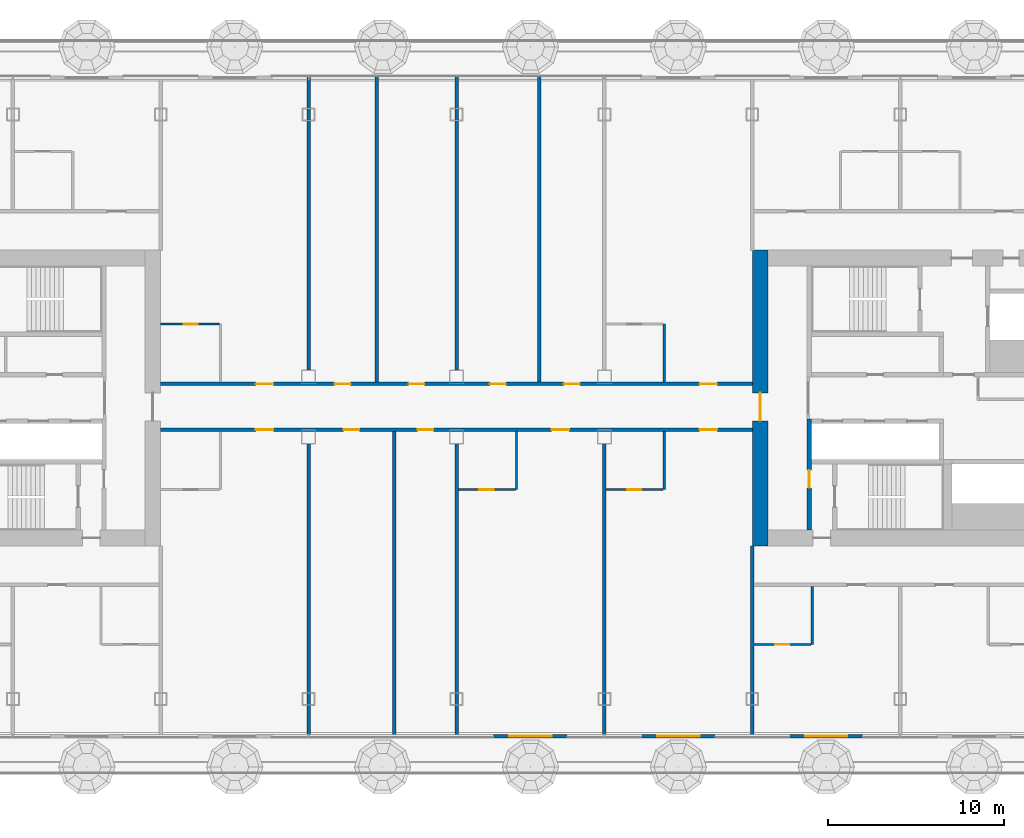
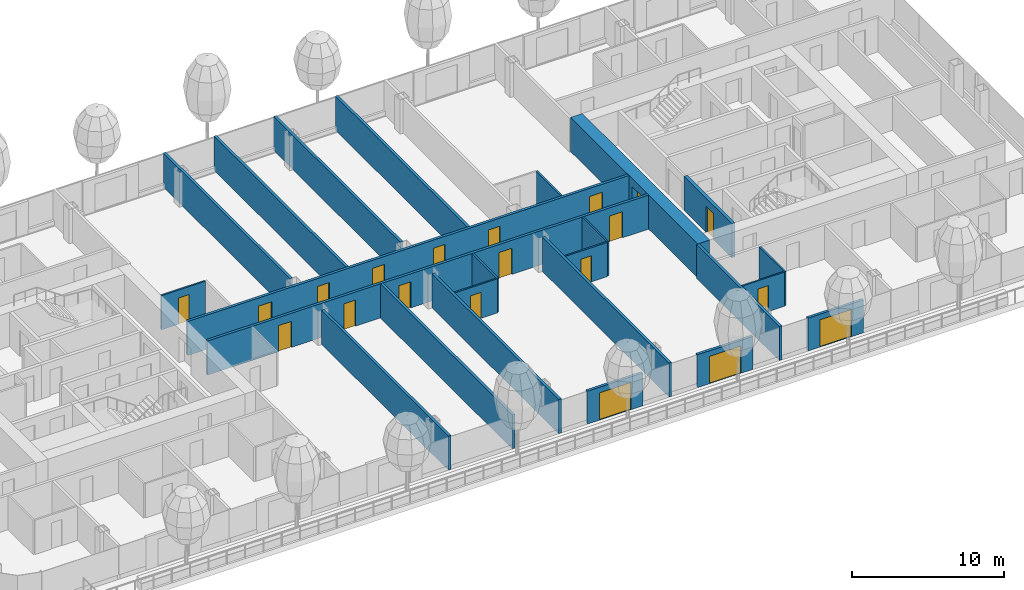
# One storey, part 12 of 29: 24 walls, 20 doors, 20 openings, 1 element without a shape of its own.
"""IFC4 building model written with IfcOpenShell, lengths in metres."""

from ifc_helpers import new_model, si_unit, direction, frame, frame_2d, origin, place, context, subcontext, project, spatial, rectangle, extrude, material, layer, layer_set, type_object, element, fill, aggregate, save


model = new_model("IFC4")

# Units and contexts
model_context = context("Model", 3, precision=1e-05, world=origin(), true_north=direction((0.0, 1.0)))
body_context = subcontext(model_context, "Body", "Model", "MODEL_VIEW")
ifc_project = project(units=[si_unit("LENGTHUNIT", "METRE"), si_unit("AREAUNIT", "SQUARE_METRE"), si_unit("VOLUMEUNIT", "CUBIC_METRE"), si_unit("PLANEANGLEUNIT", "RADIAN"), si_unit("MASSUNIT", "GRAM", prefix="KILO")], contexts=[model_context])

# Site, building, storey
site_placement = place(None, origin())
site = spatial("IfcSite", under=ifc_project, at=site_placement, CompositionType="ELEMENT")
building_placement = place(site_placement, origin())
building = spatial("IfcBuilding", under=site, at=building_placement, Name="Hakoniwa Tower and Hamabe Station Hall", CompositionType="ELEMENT")
storey_placement = place(building_placement, frame((0.0, 0.0, 163.0)))
storey = spatial("IfcBuildingStorey", under=building, at=storey_placement, Name="L46", CompositionType="ELEMENT", Elevation=163.0)

# Wall, opening, door
ifc_material_1 = material(Name="Gypsum board partition", Category="gypsum")
ifc_layer_1 = layer(ifc_material_1, 0.125)
ifc_layer_set_1 = layer_set([ifc_layer_1], Name="Bathroom Partition 125")
wall_type_1 = type_object("IfcWallType", Name="Bathroom Partition 125", PredefinedType="PARTITIONING", material=ifc_layer_set_1)
wall_1_placement = place(storey_placement, frame((16.89990234375, -14.0, 0.0), z_axis=(0.0, 0.0, 1.0), x_axis=(1.0, 0.0, 0.0)))
wall_1 = element("IfcWall", 1, at=wall_1_placement, inside=storey, type_object=wall_type_1, Name="GW-L46-004", PredefinedType="PARTITIONING", context=body_context, shape_type="SweptSolid", body=[
    extrude(rectangle(XDim=3.237548828125, YDim=0.125, at=frame_2d((1.61865234375, 0.0))), origin(), (0.0, 0.0, 1.0), 2.75),
])
opening_1_placement = place(wall_1_placement, frame((1.199951171875, 0.0, 0.0)))
opening_1 = element("IfcOpeningElement", 2, at=opening_1_placement, cuts=wall_1, Name="Opening GD-G3A2-04", PredefinedType="OPENING", context=body_context, shape_type="SweptSolid", body=[
    extrude(rectangle(XDim=0.800048828125, YDim=2.10009765625, at=frame_2d((0.39990234375, 1.050048828125))), frame((0.0, 0.072509765625, 0.0), z_axis=(0.0, -1.0, 0.0), x_axis=(1.0, 0.0, 0.0)), (0.0, 0.0, 1.0), 0.14501953125),
])
ifc_material_2 = material(Name="Timber door leaf", Category="wood")
door_type_1 = type_object("IfcDoorType", Name="Bathroom Door 800", OperationType="SINGLE_SWING_LEFT", PredefinedType="DOOR", material=ifc_material_2)
door_1_placement = place(opening_1_placement, origin())
door_1 = element("IfcDoor", 3, at=door_1_placement, inside=storey, type_object=door_type_1, Name="Door GD-G3A2-04", OperationType="SINGLE_SWING_RIGHT", OverallHeight=2.10009765625, OverallWidth=0.800048828125, PredefinedType="DOOR", context=body_context, shape_type="SweptSolid", body=[
    extrude(rectangle(XDim=0.800048828125, YDim=2.10009765625, at=frame_2d((0.39990234375, 1.050048828125))), frame((0.0, 0.02490234375, 0.0), z_axis=(0.0, -1.0, 0.0), x_axis=(1.0, 0.0, 0.0)), (0.0, 0.0, 1.0), 0.050048828125),
])
fill(opening_1, door_1)

wall_2_placement = place(storey_placement, frame((0.10009765625, -5.199951171875, 0.0), z_axis=(0.0, 0.0, 1.0), x_axis=(1.0, 0.0, 0.0)))
wall_2 = element("IfcWall", 4, at=wall_2_placement, inside=storey, type_object=wall_type_1, Name="GW-L46-011", PredefinedType="PARTITIONING", context=body_context, shape_type="SweptSolid", body=[
    extrude(rectangle(XDim=3.2373046875, YDim=0.125, at=frame_2d((1.61865234375, 0.0))), origin(), (0.0, 0.0, 1.0), 2.75),
])
opening_2_placement = place(wall_2_placement, frame((1.199951171875, 0.0, 0.0)))
opening_2 = element("IfcOpeningElement", 5, at=opening_2_placement, cuts=wall_2, Name="Opening GD-G3A2-18", PredefinedType="OPENING", context=body_context, shape_type="SweptSolid", body=[
    extrude(rectangle(XDim=0.800048828125, YDim=2.10009765625, at=frame_2d((0.39990234375, 1.050048828125))), frame((0.0, 0.072509765625, 0.0), z_axis=(0.0, -1.0, 0.0), x_axis=(1.0, 0.0, 0.0)), (0.0, 0.0, 1.0), 0.14501953125),
])
door_2_placement = place(opening_2_placement, origin())
door_2 = element("IfcDoor", 6, at=door_2_placement, inside=storey, type_object=door_type_1, Name="Door GD-G3A2-18", OperationType="SINGLE_SWING_LEFT", OverallHeight=2.10009765625, OverallWidth=0.800048828125, PredefinedType="DOOR", context=body_context, shape_type="SweptSolid", body=[
    extrude(rectangle(XDim=0.800048828125, YDim=2.10009765625, at=frame_2d((0.39990234375, 1.050048828125))), frame((0.0, 0.02490234375, 0.0), z_axis=(0.0, -1.0, 0.0), x_axis=(1.0, 0.0, 0.0)), (0.0, 0.0, 1.0), 0.050048828125),
])
fill(opening_2, door_2)

wall_3_placement = place(storey_placement, frame((8.5, -5.199951171875, 0.0), z_axis=(0.0, 0.0, 1.0), x_axis=(1.0, 0.0, 0.0)))
wall_3 = element("IfcWall", 7, at=wall_3_placement, inside=storey, type_object=wall_type_1, Name="GW-L46-012", PredefinedType="PARTITIONING", context=body_context, shape_type="SweptSolid", body=[
    extrude(rectangle(XDim=3.237548828125, YDim=0.125, at=frame_2d((1.61865234375, 0.0))), origin(), (0.0, 0.0, 1.0), 2.75),
])
opening_3_placement = place(wall_3_placement, frame((1.199951171875, 0.0, 0.0)))
opening_3 = element("IfcOpeningElement", 8, at=opening_3_placement, cuts=wall_3, Name="Opening GD-G3A2-19", PredefinedType="OPENING", context=body_context, shape_type="SweptSolid", body=[
    extrude(rectangle(XDim=0.800048828125, YDim=2.10009765625, at=frame_2d((0.39990234375, 1.050048828125))), frame((0.0, 0.072509765625, 0.0), z_axis=(0.0, -1.0, 0.0), x_axis=(1.0, 0.0, 0.0)), (0.0, 0.0, 1.0), 0.14501953125),
])
door_3_placement = place(opening_3_placement, origin())
door_3 = element("IfcDoor", 9, at=door_3_placement, inside=storey, type_object=door_type_1, Name="Door GD-G3A2-19", OperationType="SINGLE_SWING_RIGHT", OverallHeight=2.10009765625, OverallWidth=0.800048828125, PredefinedType="DOOR", context=body_context, shape_type="SweptSolid", body=[
    extrude(rectangle(XDim=0.800048828125, YDim=2.10009765625, at=frame_2d((0.39990234375, 1.050048828125))), frame((0.0, 0.02490234375, 0.0), z_axis=(0.0, -1.0, 0.0), x_axis=(1.0, 0.0, 0.0)), (0.0, 0.0, 1.0), 0.050048828125),
])
fill(opening_3, door_3)

wall_4_placement = place(storey_placement, frame((-16.81005859375, 4.199951171875, 0.0), z_axis=(0.0, 0.0, 1.0), x_axis=(1.0, 0.0, 0.0)))
wall_4 = element("IfcWall", 10, at=wall_4_placement, inside=storey, type_object=wall_type_1, Name="GW-L46-017", PredefinedType="PARTITIONING", context=body_context, shape_type="SweptSolid", body=[
    extrude(rectangle(XDim=3.34765625, YDim=0.125, at=frame_2d((1.673828125, 0.0))), origin(), (0.0, 0.0, 1.0), 2.75),
])
opening_4_placement = place(wall_4_placement, frame((1.31005859375, 0.0, 0.0)))
opening_4 = element("IfcOpeningElement", 11, at=opening_4_placement, cuts=wall_4, Name="Opening GD-G3A2-31", PredefinedType="OPENING", context=body_context, shape_type="SweptSolid", body=[
    extrude(rectangle(XDim=0.800048828125, YDim=2.10009765625, at=frame_2d((0.39990234375, 1.050048828125))), frame((0.0, 0.072509765625, 0.0), z_axis=(0.0, -1.0, 0.0), x_axis=(1.0, 0.0, 0.0)), (0.0, 0.0, 1.0), 0.14501953125),
])
door_4_placement = place(opening_4_placement, origin())
door_4 = element("IfcDoor", 12, at=door_4_placement, inside=storey, type_object=door_type_1, Name="Door GD-G3A2-31", OperationType="SINGLE_SWING_RIGHT", OverallHeight=2.10009765625, OverallWidth=0.800048828125, PredefinedType="DOOR", context=body_context, shape_type="SweptSolid", body=[
    extrude(rectangle(XDim=0.800048828125, YDim=2.10009765625, at=frame_2d((0.39990234375, 1.050048828125))), frame((0.0, 0.02490234375, 0.0), z_axis=(0.0, -1.0, 0.0), x_axis=(1.0, 0.0, 0.0)), (0.0, 0.0, 1.0), 0.050048828125),
])
fill(opening_4, door_4)

# Walls
for number, where, z_axis, x_axis, name in (
    (13, (3.39990234375, -5.199951171875, 0.0), (0.0, 0.0, 1.0), (0.0, 1.0, 0.0), "GW-L46-051"),
    (14, (11.800048828125, -5.199951171875, 0.0), (0.0, 0.0, 1.0), (0.0, 1.0, 0.0), "GW-L46-055"),
    (15, (11.800048828125, 0.89990234375, 0.0), (0.0, 0.0, 1.0), (0.0, 1.0, 0.0), "GW-L46-056"),
    (16, (20.199951171875, -14.0, 0.0), (0.0, 0.0, 1.0), (0.0, 1.0, 0.0), "GW-L46-059"),
):
    element("IfcWall", number, at=place(storey_placement, frame(where, z_axis=z_axis, x_axis=x_axis)), inside=storey, type_object=wall_type_1, Name=name, PredefinedType="PARTITIONING", context=body_context, shape_type="SweptSolid", body=[
        extrude(rectangle(XDim=3.300048828125, YDim=0.125, at=frame_2d((1.64990234375, 0.0))), origin(), (0.0, 0.0, 1.0), 2.75),
    ])

# Wall, opening, door
ifc_material_3 = material(Name="Concrete C66", Category="concrete")
ifc_layer_2 = layer(ifc_material_3, 0.89990234375)
ifc_layer_set_2 = layer_set([ifc_layer_2], Name="CORE WALL 900 C66")
wall_type_2 = type_object("IfcWallType", Name="CORE WALL 900 C66", PredefinedType="SHEAR", material=ifc_layer_set_2)
wall_5_placement = place(storey_placement, frame((17.25, -8.39990234375, 0.0), z_axis=(0.0, 0.0, 1.0), x_axis=(0.0, 1.0, 0.0)))
wall_5 = element("IfcWall", 17, at=wall_5_placement, inside=storey, type_object=wall_type_2, Name="Core wall INNER east", PredefinedType="SHEAR", context=body_context, shape_type="SweptSolid", body=[
    extrude(rectangle(XDim=16.7998046875, YDim=0.89990234375, at=frame_2d((8.39990234375, 0.0))), origin(), (0.0, 0.0, 1.0), 2.75),
])
opening_5_placement = place(wall_5_placement, frame((7.10009765625, 0.0, 0.0)))
opening_5 = element("IfcOpeningElement", 18, at=opening_5_placement, cuts=wall_5, Name="Opening CD-E-IN1-16", PredefinedType="OPENING", context=body_context, shape_type="SweptSolid", body=[
    extrude(rectangle(XDim=1.60009765625, YDim=2.10009765625, at=frame_2d((0.800048828125, 1.050048828125))), frame((0.0, 0.4599609375, 0.0), z_axis=(0.0, -1.0, 0.0), x_axis=(1.0, 0.0, 0.0)), (0.0, 0.0, 1.0), 0.919921875),
])
ifc_material_4 = material(Name="Steel fire door", Category="steel")
door_type_2 = type_object("IfcDoorType", Name="CORE DOOR 1600 FD60", OperationType="DOUBLE_DOOR_SINGLE_SWING", PredefinedType="DOOR", material=ifc_material_4)
door_5_placement = place(opening_5_placement, origin())
door_5 = element("IfcDoor", 19, at=door_5_placement, inside=storey, type_object=door_type_2, Name="Lift lobby door", OperationType="DOUBLE_DOOR_SINGLE_SWING", OverallHeight=2.10009765625, OverallWidth=1.60009765625, PredefinedType="DOOR", context=body_context, shape_type="SweptSolid", body=[
    extrude(rectangle(XDim=1.60009765625, YDim=2.10009765625, at=frame_2d((0.800048828125, 1.050048828125))), frame((0.0, 0.02490234375, 0.0), z_axis=(0.0, -1.0, 0.0), x_axis=(1.0, 0.0, 0.0)), (0.0, 0.0, 1.0), 0.050048828125),
])
fill(opening_5, door_5)

ifc_material_5 = material(Name="Concrete C66", Category="concrete")
ifc_layer_3 = layer(ifc_material_5, 0.25)
ifc_layer_set_3 = layer_set([ifc_layer_3], Name="CORE WEB WALL 250 C66")
wall_type_3 = type_object("IfcWallType", Name="CORE WEB WALL 250 C66", PredefinedType="SHEAR", material=ifc_layer_set_3)
wall_6_placement = place(storey_placement, frame((20.02490234375, -7.5, 0.0), z_axis=(0.0, 0.0, 1.0), x_axis=(0.0, 1.0, 0.0)))
wall_6 = element("IfcWall", 20, at=wall_6_placement, inside=storey, type_object=wall_type_3, Name="Core wall W1S east", PredefinedType="SHEAR", context=body_context, shape_type="SweptSolid", body=[
    extrude(rectangle(XDim=6.300048828125, YDim=0.25, at=frame_2d((3.14990234375, 0.0))), origin(), (0.0, 0.0, 1.0), 2.75),
])
opening_6_placement = place(wall_6_placement, frame((2.39990234375, 0.0, 0.0)))
opening_6 = element("IfcOpeningElement", 21, at=opening_6_placement, cuts=wall_6, Name="Opening CD-E-VS-10", PredefinedType="OPENING", context=body_context, shape_type="SweptSolid", body=[
    extrude(rectangle(XDim=1.0, YDim=2.10009765625, at=frame_2d((0.5, 1.050048828125))), frame((0.0, 0.135009765625, 0.0), z_axis=(0.0, -1.0, 0.0), x_axis=(1.0, 0.0, 0.0)), (0.0, 0.0, 1.0), 0.27001953125),
])
ifc_material_6 = material(Name="Steel fire door", Category="steel")
door_type_3 = type_object("IfcDoorType", Name="CORE DOOR 1000 FD60", OperationType="NOTDEFINED", PredefinedType="DOOR", material=ifc_material_6)
door_6_placement = place(opening_6_placement, origin())
door_6 = element("IfcDoor", 22, at=door_6_placement, inside=storey, type_object=door_type_3, Name="Stair vestibule door", OperationType="SINGLE_SWING_RIGHT", OverallHeight=2.10009765625, OverallWidth=1.0, PredefinedType="DOOR", context=body_context, shape_type="SweptSolid", body=[
    extrude(rectangle(XDim=1.0, YDim=2.10009765625, at=frame_2d((0.5, 1.050048828125))), frame((0.0, 0.02490234375, 0.0), z_axis=(0.0, -1.0, 0.0), x_axis=(1.0, 0.0, 0.0)), (0.0, 0.0, 1.0), 0.050048828125),
])
fill(opening_6, door_6)

# Wall, openings, doors
ifc_material_7 = material(Name="Fire-rated gypsum board partition", Category="gypsum")
ifc_layer_4 = layer(ifc_material_7, 0.199951171875)
ifc_layer_set_4 = layer_set([ifc_layer_4], Name="Corridor Wall 200")
wall_type_4 = type_object("IfcWallType", Name="Corridor Wall 200", PredefinedType="PARTITIONING", material=ifc_layer_set_4)
wall_7_placement = place(storey_placement, frame((-16.800048828125, -1.800048828125, 0.0), z_axis=(0.0, 0.0, 1.0), x_axis=(1.0, 0.0, 0.0)))
wall_7 = element("IfcWall", 23, at=wall_7_placement, inside=storey, type_object=wall_type_4, Name="GW-L46-013", PredefinedType="PARTITIONING", context=body_context, shape_type="SweptSolid", body=[
    extrude(rectangle(XDim=33.60009765625, YDim=0.199951171875, at=frame_2d((16.800048828125, 0.0))), origin(), (0.0, 0.0, 1.0), 2.75),
])
opening_7_placement = place(wall_7_placement, frame((5.39990234375, 0.0, 0.0)))
opening_7 = element("IfcOpeningElement", 24, at=opening_7_placement, cuts=wall_7, Name="Opening GD-G3A2-20", PredefinedType="OPENING", context=body_context, shape_type="SweptSolid", body=[
    extrude(rectangle(XDim=1.0, YDim=2.10009765625, at=frame_2d((0.5, 1.050048828125))), frame((0.0, 0.10986328125, 0.0), z_axis=(0.0, -1.0, 0.0), x_axis=(1.0, 0.0, 0.0)), (0.0, 0.0, 1.0), 0.219970703125),
])
opening_8_placement = place(wall_7_placement, frame((10.385009765625, 0.0, 0.0)))
opening_8 = element("IfcOpeningElement", 25, at=opening_8_placement, cuts=wall_7, Name="Opening GD-G3A2-21", PredefinedType="OPENING", context=body_context, shape_type="SweptSolid", body=[
    extrude(rectangle(XDim=0.89990234375, YDim=2.10009765625, at=frame_2d((0.449951171875, 1.050048828125))), frame((0.0, 0.10986328125, 0.0), z_axis=(0.0, -1.0, 0.0), x_axis=(1.0, 0.0, 0.0)), (0.0, 0.0, 1.0), 0.219970703125),
])
opening_9_placement = place(wall_7_placement, frame((14.5849609375, 0.0, 0.0)))
opening_9 = element("IfcOpeningElement", 26, at=opening_9_placement, cuts=wall_7, Name="Opening GD-G3A2-22", PredefinedType="OPENING", context=body_context, shape_type="SweptSolid", body=[
    extrude(rectangle(XDim=0.89990234375, YDim=2.10009765625, at=frame_2d((0.449951171875, 1.050048828125))), frame((0.0, 0.10986328125, 0.0), z_axis=(0.0, -1.0, 0.0), x_axis=(1.0, 0.0, 0.0)), (0.0, 0.0, 1.0), 0.219970703125),
])
opening_10_placement = place(wall_7_placement, frame((22.199951171875, 0.0, 0.0)))
opening_10 = element("IfcOpeningElement", 27, at=opening_10_placement, cuts=wall_7, Name="Opening GD-G3A2-23", PredefinedType="OPENING", context=body_context, shape_type="SweptSolid", body=[
    extrude(rectangle(XDim=1.0, YDim=2.10009765625, at=frame_2d((0.5, 1.050048828125))), frame((0.0, 0.10986328125, 0.0), z_axis=(0.0, -1.0, 0.0), x_axis=(1.0, 0.0, 0.0)), (0.0, 0.0, 1.0), 0.219970703125),
])
opening_11_placement = place(wall_7_placement, frame((30.60009765625, 0.0, 0.0)))
opening_11 = element("IfcOpeningElement", 28, at=opening_11_placement, cuts=wall_7, Name="Opening GD-G3A2-24", PredefinedType="OPENING", context=body_context, shape_type="SweptSolid", body=[
    extrude(rectangle(XDim=1.0, YDim=2.10009765625, at=frame_2d((0.5, 1.050048828125))), frame((0.0, 0.10986328125, 0.0), z_axis=(0.0, -1.0, 0.0), x_axis=(1.0, 0.0, 0.0)), (0.0, 0.0, 1.0), 0.219970703125),
])
ifc_material_8 = material(Name="Timber door leaf", Category="wood")
door_type_4 = type_object("IfcDoorType", Name="Guest Entrance Door 1000", OperationType="SINGLE_SWING_LEFT", PredefinedType="DOOR", material=ifc_material_8)
door_7_placement = place(opening_7_placement, origin())
door_7 = element("IfcDoor", 29, at=door_7_placement, inside=storey, type_object=door_type_4, Name="Door GD-G3A2-20", OperationType="SINGLE_SWING_LEFT", OverallHeight=2.10009765625, OverallWidth=1.0, PredefinedType="DOOR", context=body_context, shape_type="SweptSolid", body=[
    extrude(rectangle(XDim=1.0, YDim=2.10009765625, at=frame_2d((0.5, 1.050048828125))), frame((0.0, 0.02490234375, 0.0), z_axis=(0.0, -1.0, 0.0), x_axis=(1.0, 0.0, 0.0)), (0.0, 0.0, 1.0), 0.050048828125),
])
fill(opening_7, door_7)
door_8_placement = place(opening_10_placement, origin())
door_8 = element("IfcDoor", 30, at=door_8_placement, inside=storey, type_object=door_type_4, Name="Door GD-G3A2-23", OperationType="SINGLE_SWING_RIGHT", OverallHeight=2.10009765625, OverallWidth=1.0, PredefinedType="DOOR", context=body_context, shape_type="SweptSolid", body=[
    extrude(rectangle(XDim=1.0, YDim=2.10009765625, at=frame_2d((0.5, 1.050048828125))), frame((0.0, 0.02490234375, 0.0), z_axis=(0.0, -1.0, 0.0), x_axis=(1.0, 0.0, 0.0)), (0.0, 0.0, 1.0), 0.050048828125),
])
fill(opening_10, door_8)
door_9_placement = place(opening_11_placement, origin())
door_9 = element("IfcDoor", 31, at=door_9_placement, inside=storey, type_object=door_type_4, Name="Door GD-G3A2-24", OperationType="SINGLE_SWING_LEFT", OverallHeight=2.10009765625, OverallWidth=1.0, PredefinedType="DOOR", context=body_context, shape_type="SweptSolid", body=[
    extrude(rectangle(XDim=1.0, YDim=2.10009765625, at=frame_2d((0.5, 1.050048828125))), frame((0.0, 0.02490234375, 0.0), z_axis=(0.0, -1.0, 0.0), x_axis=(1.0, 0.0, 0.0)), (0.0, 0.0, 1.0), 0.050048828125),
])
fill(opening_11, door_9)
ifc_material_9 = material(Name="Timber door leaf", Category="wood")
door_type_5 = type_object("IfcDoorType", Name="Service Door 900", OperationType="SINGLE_SWING_LEFT", PredefinedType="DOOR", material=ifc_material_9)
door_10_placement = place(opening_8_placement, origin())
door_10 = element("IfcDoor", 32, at=door_10_placement, inside=storey, type_object=door_type_5, Name="Door GD-G3A2-21", OperationType="SINGLE_SWING_RIGHT", OverallHeight=2.10009765625, OverallWidth=0.89990234375, PredefinedType="DOOR", context=body_context, shape_type="SweptSolid", body=[
    extrude(rectangle(XDim=0.89990234375, YDim=2.10009765625, at=frame_2d((0.449951171875, 1.050048828125))), frame((0.0, 0.02490234375, 0.0), z_axis=(0.0, -1.0, 0.0), x_axis=(1.0, 0.0, 0.0)), (0.0, 0.0, 1.0), 0.050048828125),
])
fill(opening_8, door_10)
door_11_placement = place(opening_9_placement, origin())
door_11 = element("IfcDoor", 33, at=door_11_placement, inside=storey, type_object=door_type_5, Name="Door GD-G3A2-22", OperationType="SINGLE_SWING_LEFT", OverallHeight=2.10009765625, OverallWidth=0.89990234375, PredefinedType="DOOR", context=body_context, shape_type="SweptSolid", body=[
    extrude(rectangle(XDim=0.89990234375, YDim=2.10009765625, at=frame_2d((0.449951171875, 1.050048828125))), frame((0.0, 0.02490234375, 0.0), z_axis=(0.0, -1.0, 0.0), x_axis=(1.0, 0.0, 0.0)), (0.0, 0.0, 1.0), 0.050048828125),
])
fill(opening_9, door_11)

wall_8_placement = place(storey_placement, frame((-16.800048828125, 0.800048828125, 0.0), z_axis=(0.0, 0.0, 1.0), x_axis=(1.0, 0.0, 0.0)))
wall_8 = element("IfcWall", 34, at=wall_8_placement, inside=storey, type_object=wall_type_4, Name="GW-L46-016", PredefinedType="PARTITIONING", context=body_context, shape_type="SweptSolid", body=[
    extrude(rectangle(XDim=33.60009765625, YDim=0.199951171875, at=frame_2d((16.800048828125, 0.0))), origin(), (0.0, 0.0, 1.0), 2.75),
])
opening_12_placement = place(wall_8_placement, frame((5.39990234375, 0.0, 0.0)))
opening_12 = element("IfcOpeningElement", 35, at=opening_12_placement, cuts=wall_8, Name="Opening GD-G3A2-25", PredefinedType="OPENING", context=body_context, shape_type="SweptSolid", body=[
    extrude(rectangle(XDim=1.0, YDim=2.10009765625, at=frame_2d((0.5, 1.050048828125))), frame((0.0, 0.10986328125, 0.0), z_axis=(0.0, -1.0, 0.0), x_axis=(1.0, 0.0, 0.0)), (0.0, 0.0, 1.0), 0.219970703125),
])
opening_13_placement = place(wall_8_placement, frame((9.8798828125, 0.0, 0.0)))
opening_13 = element("IfcOpeningElement", 36, at=opening_13_placement, cuts=wall_8, Name="Opening GD-G3A2-26", PredefinedType="OPENING", context=body_context, shape_type="SweptSolid", body=[
    extrude(rectangle(XDim=0.89990234375, YDim=2.10009765625, at=frame_2d((0.449951171875, 1.050048828125))), frame((0.0, 0.10986328125, 0.0), z_axis=(0.0, -1.0, 0.0), x_axis=(1.0, 0.0, 0.0)), (0.0, 0.0, 1.0), 0.219970703125),
])
opening_14_placement = place(wall_8_placement, frame((14.080078125, 0.0, 0.0)))
opening_14 = element("IfcOpeningElement", 37, at=opening_14_placement, cuts=wall_8, Name="Opening GD-G3A2-27", PredefinedType="OPENING", context=body_context, shape_type="SweptSolid", body=[
    extrude(rectangle(XDim=0.89990234375, YDim=2.10009765625, at=frame_2d((0.449951171875, 1.050048828125))), frame((0.0, 0.10986328125, 0.0), z_axis=(0.0, -1.0, 0.0), x_axis=(1.0, 0.0, 0.0)), (0.0, 0.0, 1.0), 0.219970703125),
])
opening_15_placement = place(wall_8_placement, frame((18.699951171875, 0.0, 0.0)))
opening_15 = element("IfcOpeningElement", 38, at=opening_15_placement, cuts=wall_8, Name="Opening GD-G3A2-28", PredefinedType="OPENING", context=body_context, shape_type="SweptSolid", body=[
    extrude(rectangle(XDim=0.89990234375, YDim=2.10009765625, at=frame_2d((0.449951171875, 1.050048828125))), frame((0.0, 0.10986328125, 0.0), z_axis=(0.0, -1.0, 0.0), x_axis=(1.0, 0.0, 0.0)), (0.0, 0.0, 1.0), 0.219970703125),
])
opening_16_placement = place(wall_8_placement, frame((22.89990234375, 0.0, 0.0)))
opening_16 = element("IfcOpeningElement", 39, at=opening_16_placement, cuts=wall_8, Name="Opening GD-G3A2-29", PredefinedType="OPENING", context=body_context, shape_type="SweptSolid", body=[
    extrude(rectangle(XDim=0.89990234375, YDim=2.10009765625, at=frame_2d((0.449951171875, 1.050048828125))), frame((0.0, 0.10986328125, 0.0), z_axis=(0.0, -1.0, 0.0), x_axis=(1.0, 0.0, 0.0)), (0.0, 0.0, 1.0), 0.219970703125),
])
opening_17_placement = place(wall_8_placement, frame((30.60009765625, 0.0, 0.0)))
opening_17 = element("IfcOpeningElement", 40, at=opening_17_placement, cuts=wall_8, Name="Opening GD-G3A2-30", PredefinedType="OPENING", context=body_context, shape_type="SweptSolid", body=[
    extrude(rectangle(XDim=1.0, YDim=2.10009765625, at=frame_2d((0.5, 1.050048828125))), frame((0.0, 0.10986328125, 0.0), z_axis=(0.0, -1.0, 0.0), x_axis=(1.0, 0.0, 0.0)), (0.0, 0.0, 1.0), 0.219970703125),
])
door_12_placement = place(opening_12_placement, origin())
door_12 = element("IfcDoor", 41, at=door_12_placement, inside=storey, type_object=door_type_4, Name="Door GD-G3A2-25", OperationType="SINGLE_SWING_LEFT", OverallHeight=2.10009765625, OverallWidth=1.0, PredefinedType="DOOR", context=body_context, shape_type="SweptSolid", body=[
    extrude(rectangle(XDim=1.0, YDim=2.10009765625, at=frame_2d((0.5, 1.050048828125))), frame((0.0, 0.02490234375, 0.0), z_axis=(0.0, -1.0, 0.0), x_axis=(1.0, 0.0, 0.0)), (0.0, 0.0, 1.0), 0.050048828125),
])
fill(opening_12, door_12)
door_13_placement = place(opening_17_placement, origin())
door_13 = element("IfcDoor", 42, at=door_13_placement, inside=storey, type_object=door_type_4, Name="Door GD-G3A2-30", OperationType="SINGLE_SWING_LEFT", OverallHeight=2.10009765625, OverallWidth=1.0, PredefinedType="DOOR", context=body_context, shape_type="SweptSolid", body=[
    extrude(rectangle(XDim=1.0, YDim=2.10009765625, at=frame_2d((0.5, 1.050048828125))), frame((0.0, 0.02490234375, 0.0), z_axis=(0.0, -1.0, 0.0), x_axis=(1.0, 0.0, 0.0)), (0.0, 0.0, 1.0), 0.050048828125),
])
fill(opening_17, door_13)
door_14_placement = place(opening_13_placement, origin())
door_14 = element("IfcDoor", 43, at=door_14_placement, inside=storey, type_object=door_type_5, Name="Door GD-G3A2-26", OperationType="SINGLE_SWING_LEFT", OverallHeight=2.10009765625, OverallWidth=0.89990234375, PredefinedType="DOOR", context=body_context, shape_type="SweptSolid", body=[
    extrude(rectangle(XDim=0.89990234375, YDim=2.10009765625, at=frame_2d((0.449951171875, 1.050048828125))), frame((0.0, 0.02490234375, 0.0), z_axis=(0.0, -1.0, 0.0), x_axis=(1.0, 0.0, 0.0)), (0.0, 0.0, 1.0), 0.050048828125),
])
fill(opening_13, door_14)
door_15_placement = place(opening_14_placement, origin())
door_15 = element("IfcDoor", 44, at=door_15_placement, inside=storey, type_object=door_type_5, Name="Door GD-G3A2-27", OperationType="SINGLE_SWING_LEFT", OverallHeight=2.10009765625, OverallWidth=0.89990234375, PredefinedType="DOOR", context=body_context, shape_type="SweptSolid", body=[
    extrude(rectangle(XDim=0.89990234375, YDim=2.10009765625, at=frame_2d((0.449951171875, 1.050048828125))), frame((0.0, 0.02490234375, 0.0), z_axis=(0.0, -1.0, 0.0), x_axis=(1.0, 0.0, 0.0)), (0.0, 0.0, 1.0), 0.050048828125),
])
fill(opening_14, door_15)
door_16_placement = place(opening_15_placement, origin())
door_16 = element("IfcDoor", 45, at=door_16_placement, inside=storey, type_object=door_type_5, Name="Door GD-G3A2-28", OperationType="SINGLE_SWING_RIGHT", OverallHeight=2.10009765625, OverallWidth=0.89990234375, PredefinedType="DOOR", context=body_context, shape_type="SweptSolid", body=[
    extrude(rectangle(XDim=0.89990234375, YDim=2.10009765625, at=frame_2d((0.449951171875, 1.050048828125))), frame((0.0, 0.02490234375, 0.0), z_axis=(0.0, -1.0, 0.0), x_axis=(1.0, 0.0, 0.0)), (0.0, 0.0, 1.0), 0.050048828125),
])
fill(opening_15, door_16)
door_17_placement = place(opening_16_placement, origin())
door_17 = element("IfcDoor", 46, at=door_17_placement, inside=storey, type_object=door_type_5, Name="Door GD-G3A2-29", OperationType="SINGLE_SWING_RIGHT", OverallHeight=2.10009765625, OverallWidth=0.89990234375, PredefinedType="DOOR", context=body_context, shape_type="SweptSolid", body=[
    extrude(rectangle(XDim=0.89990234375, YDim=2.10009765625, at=frame_2d((0.449951171875, 1.050048828125))), frame((0.0, 0.02490234375, 0.0), z_axis=(0.0, -1.0, 0.0), x_axis=(1.0, 0.0, 0.0)), (0.0, 0.0, 1.0), 0.050048828125),
])
fill(opening_16, door_17)

# Curtain wall, walls, openings, doors
ifc_material_10 = material(Name="Dark low-e laminated glass", Category="glass")
ifc_layer_5 = layer(ifc_material_10, 0.199951171875)
ifc_layer_set_5 = layer_set([ifc_layer_5], Name="CW-1 UNITISED GUEST")
curtain_wall_type = type_object("IfcCurtainWallType", Name="CW-1 UNITISED GUEST", PredefinedType="NOTDEFINED", material=ifc_layer_set_5)
curtain_wall_placement = place(storey_placement, origin())
curtain_wall = element("IfcCurtainWall", 47, at=curtain_wall_placement, inside=storey, type_object=curtain_wall_type, Name="CW-1 curtain wall", PredefinedType="NOTDEFINED")
ifc_material_11 = material(Name="Dark glass-faced aluminium panel", Category="aluminium")
ifc_layer_6 = layer(ifc_material_11, 0.199951171875)
ifc_layer_set_6 = layer_set([ifc_layer_6], Name="DOOR BAY WALL")
wall_type_5 = type_object("IfcWallType", Name="DOOR BAY WALL", PredefinedType="NOTDEFINED", material=ifc_layer_set_6)
wall_9_placement = place(storey_placement, frame((2.090087890625, -19.199951171875, 0.0), z_axis=(0.0, 0.0, 1.0), x_axis=(1.0, 0.0, 0.0)))
wall_9 = element("IfcWall", 48, at=wall_9_placement, type_object=wall_type_5, Name="Door bay wall", PredefinedType="NOTDEFINED", context=body_context, shape_type="SweptSolid", body=[
    extrude(rectangle(XDim=4.219970703125, YDim=0.199951171875, at=frame_2d((2.10986328125, 0.0))), origin(), (0.0, 0.0, 1.0), 2.64990234375),
])
opening_18_placement = place(wall_9_placement, frame((0.909912109375, 0.0, 0.0)))
opening_18 = element("IfcOpeningElement", 49, at=opening_18_placement, cuts=wall_9, Name="Opening BD-S07-4", PredefinedType="OPENING", context=body_context, shape_type="SweptSolid", body=[
    extrude(rectangle(XDim=2.39990234375, YDim=2.199951171875, at=frame_2d((1.199951171875, 1.10009765625))), frame((0.0, 0.10986328125, 0.0), z_axis=(0.0, -1.0, 0.0), x_axis=(1.0, 0.0, 0.0)), (0.0, 0.0, 1.0), 0.219970703125),
])
ifc_material_12 = material(Name="Dark low-e laminated glass", Category="glass")
door_type_6 = type_object("IfcDoorType", Name="BALCONY SLIDING DOOR 2400X2200", OperationType="SLIDING_TO_LEFT", PredefinedType="DOOR", material=ifc_material_12)
door_18_placement = place(opening_18_placement, frame((2.39990234375, 0.0, 0.0), z_axis=(0.0, 0.0, 1.0), x_axis=(-1.0, 0.0, 0.0)))
door_18 = element("IfcDoor", 50, at=door_18_placement, inside=storey, type_object=door_type_6, Name="Balcony sliding door", OperationType="SLIDING_TO_LEFT", OverallHeight=2.199951171875, OverallWidth=2.39990234375, PredefinedType="DOOR", context=body_context, shape_type="SweptSolid", body=[
    extrude(rectangle(XDim=2.39990234375, YDim=2.199951171875, at=frame_2d((1.199951171875, 1.10009765625))), frame((0.0, 0.02490234375, 0.0), z_axis=(0.0, -1.0, 0.0), x_axis=(1.0, 0.0, 0.0)), (0.0, 0.0, 1.0), 0.050048828125),
])
fill(opening_18, door_18)
wall_10_placement = place(storey_placement, frame((10.489990234375, -19.199951171875, 0.0), z_axis=(0.0, 0.0, 1.0), x_axis=(1.0, 0.0, 0.0)))
wall_10 = element("IfcWall", 51, at=wall_10_placement, type_object=wall_type_5, Name="Door bay wall", PredefinedType="NOTDEFINED", context=body_context, shape_type="SweptSolid", body=[
    extrude(rectangle(XDim=4.219970703125, YDim=0.199951171875, at=frame_2d((2.10986328125, 0.0))), origin(), (0.0, 0.0, 1.0), 2.64990234375),
])
opening_19_placement = place(wall_10_placement, frame((0.909912109375, 0.0, 0.0)))
opening_19 = element("IfcOpeningElement", 52, at=opening_19_placement, cuts=wall_10, Name="Opening BD-S07-5", PredefinedType="OPENING", context=body_context, shape_type="SweptSolid", body=[
    extrude(rectangle(XDim=2.39990234375, YDim=2.199951171875, at=frame_2d((1.199951171875, 1.10009765625))), frame((0.0, 0.10986328125, 0.0), z_axis=(0.0, -1.0, 0.0), x_axis=(1.0, 0.0, 0.0)), (0.0, 0.0, 1.0), 0.219970703125),
])
door_19_placement = place(opening_19_placement, frame((2.39990234375, 0.0, 0.0), z_axis=(0.0, 0.0, 1.0), x_axis=(-1.0, 0.0, 0.0)))
door_19 = element("IfcDoor", 53, at=door_19_placement, inside=storey, type_object=door_type_6, Name="Balcony sliding door", OperationType="SLIDING_TO_LEFT", OverallHeight=2.199951171875, OverallWidth=2.39990234375, PredefinedType="DOOR", context=body_context, shape_type="SweptSolid", body=[
    extrude(rectangle(XDim=2.39990234375, YDim=2.199951171875, at=frame_2d((1.199951171875, 1.10009765625))), frame((0.0, 0.02490234375, 0.0), z_axis=(0.0, -1.0, 0.0), x_axis=(1.0, 0.0, 0.0)), (0.0, 0.0, 1.0), 0.050048828125),
])
fill(opening_19, door_19)
wall_11_placement = place(storey_placement, frame((18.889892578125, -19.199951171875, 0.0), z_axis=(0.0, 0.0, 1.0), x_axis=(1.0, 0.0, 0.0)))
wall_11 = element("IfcWall", 54, at=wall_11_placement, type_object=wall_type_5, Name="Door bay wall", PredefinedType="NOTDEFINED", context=body_context, shape_type="SweptSolid", body=[
    extrude(rectangle(XDim=4.22021484375, YDim=0.199951171875, at=frame_2d((2.110107421875, 0.0))), origin(), (0.0, 0.0, 1.0), 2.64990234375),
])
opening_20_placement = place(wall_11_placement, frame((0.909912109375, 0.0, 0.0)))
opening_20 = element("IfcOpeningElement", 55, at=opening_20_placement, cuts=wall_11, Name="Opening BD-S07-8", PredefinedType="OPENING", context=body_context, shape_type="SweptSolid", body=[
    extrude(rectangle(XDim=2.39990234375, YDim=2.199951171875, at=frame_2d((1.199951171875, 1.10009765625))), frame((0.0, 0.10986328125, 0.0), z_axis=(0.0, -1.0, 0.0), x_axis=(1.0, 0.0, 0.0)), (0.0, 0.0, 1.0), 0.219970703125),
])
door_20_placement = place(opening_20_placement, frame((2.39990234375, 0.0, 0.0), z_axis=(0.0, 0.0, 1.0), x_axis=(-1.0, 0.0, 0.0)))
door_20 = element("IfcDoor", 56, at=door_20_placement, inside=storey, type_object=door_type_6, Name="Balcony sliding door", OperationType="SLIDING_TO_LEFT", OverallHeight=2.199951171875, OverallWidth=2.39990234375, PredefinedType="DOOR", context=body_context, shape_type="SweptSolid", body=[
    extrude(rectangle(XDim=2.39990234375, YDim=2.199951171875, at=frame_2d((1.199951171875, 1.10009765625))), frame((0.0, 0.02490234375, 0.0), z_axis=(0.0, -1.0, 0.0), x_axis=(1.0, 0.0, 0.0)), (0.0, 0.0, 1.0), 0.050048828125),
])
fill(opening_20, door_20)
aggregate(curtain_wall, [wall_9, wall_10, wall_11])

# Walls
ifc_material_13 = material(Name="Fire-rated gypsum board partition", Category="gypsum")
ifc_layer_7 = layer(ifc_material_13, 0.199951171875)
ifc_layer_set_7 = layer_set([ifc_layer_7], Name="Party Wall 200")
wall_type_6 = type_object("IfcWallType", Name="Party Wall 200", PredefinedType="PARTITIONING", material=ifc_layer_set_7)
for number, where, z_axis, x_axis, name in (
    (57, (-8.39990234375, -19.300048828125, 0.0), (0.0, 0.0, 1.0), (0.0, 1.0, 0.0), "GW-L46-045"),
    (58, (-8.39990234375, 1.590087890625, 0.0), (0.0, 0.0, 1.0), (0.0, 1.0, 0.0), "GW-L46-046"),
):
    element("IfcWall", number, at=place(storey_placement, frame(where, z_axis=z_axis, x_axis=x_axis)), inside=storey, type_object=wall_type_6, Name=name, PredefinedType="PARTITIONING", context=body_context, shape_type="SweptSolid", body=[
        extrude(rectangle(XDim=16.7099609375, YDim=0.199951171875, at=frame_2d((8.35498046875, 0.0))), origin(), (0.0, 0.0, 1.0), 2.75),
    ])
for number, where, z_axis, x_axis, name in (
    (59, (-4.5400390625, 0.89990234375, 0.0), (0.0, 0.0, 1.0), (0.0, 1.0, 0.0), "GW-L46-047"),
    (60, (-3.530029296875, -19.300048828125, 0.0), (0.0, 0.0, 1.0), (0.0, 1.0, 0.0), "GW-L46-048"),
):
    element("IfcWall", number, at=place(storey_placement, frame(where, z_axis=z_axis, x_axis=x_axis)), inside=storey, type_object=wall_type_6, Name=name, PredefinedType="PARTITIONING", context=body_context, shape_type="SweptSolid", body=[
        extrude(rectangle(XDim=17.400146484375, YDim=0.199951171875, at=frame_2d((8.7001953125, 0.0))), origin(), (0.0, 0.0, 1.0), 2.75),
    ])
for number, where, z_axis, x_axis, name in (
    (61, (0.0, -19.300048828125, 0.0), (0.0, 0.0, 1.0), (0.0, 1.0, 0.0), "GW-L46-049"),
    (62, (0.0, 1.590087890625, 0.0), (0.0, 0.0, 1.0), (0.0, 1.0, 0.0), "GW-L46-050"),
):
    element("IfcWall", number, at=place(storey_placement, frame(where, z_axis=z_axis, x_axis=x_axis)), inside=storey, type_object=wall_type_6, Name=name, PredefinedType="PARTITIONING", context=body_context, shape_type="SweptSolid", body=[
        extrude(rectangle(XDim=16.7099609375, YDim=0.199951171875, at=frame_2d((8.35498046875, 0.0))), origin(), (0.0, 0.0, 1.0), 2.75),
    ])
wall_12_placement = place(storey_placement, frame((4.699951171875, 0.89990234375, 0.0), z_axis=(0.0, 0.0, 1.0), x_axis=(0.0, 1.0, 0.0)))
element("IfcWall", 63, at=wall_12_placement, inside=storey, type_object=wall_type_6, Name="GW-L46-052", PredefinedType="PARTITIONING", context=body_context, shape_type="SweptSolid", body=[
    extrude(rectangle(XDim=17.400146484375, YDim=0.199951171875, at=frame_2d((8.7001953125, 0.0))), origin(), (0.0, 0.0, 1.0), 2.75),
])
wall_13_placement = place(storey_placement, frame((8.39990234375, -19.300048828125, 0.0), z_axis=(0.0, 0.0, 1.0), x_axis=(0.0, 1.0, 0.0)))
element("IfcWall", 64, at=wall_13_placement, inside=storey, type_object=wall_type_6, Name="GW-L46-053", PredefinedType="PARTITIONING", context=body_context, shape_type="SweptSolid", body=[
    extrude(rectangle(XDim=16.7099609375, YDim=0.199951171875, at=frame_2d((8.35498046875, 0.0))), origin(), (0.0, 0.0, 1.0), 2.75),
])
wall_14_placement = place(storey_placement, frame((16.800048828125, -19.300048828125, 0.0), z_axis=(0.0, 0.0, 1.0), x_axis=(0.0, 1.0, 0.0)))
element("IfcWall", 65, at=wall_14_placement, inside=storey, type_object=wall_type_6, Name="GW-L46-057", PredefinedType="PARTITIONING", context=body_context, shape_type="SweptSolid", body=[
    extrude(rectangle(XDim=10.91015625, YDim=0.199951171875, at=frame_2d((5.455078125, 0.0))), origin(), (0.0, 0.0, 1.0), 2.75),
])

save(model, "model.ifc")
